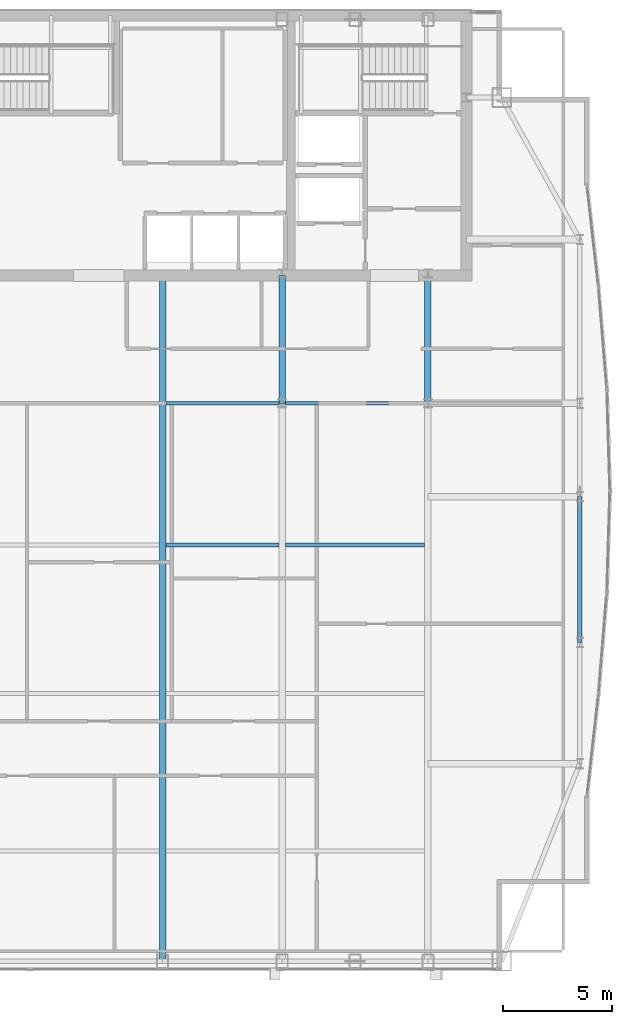
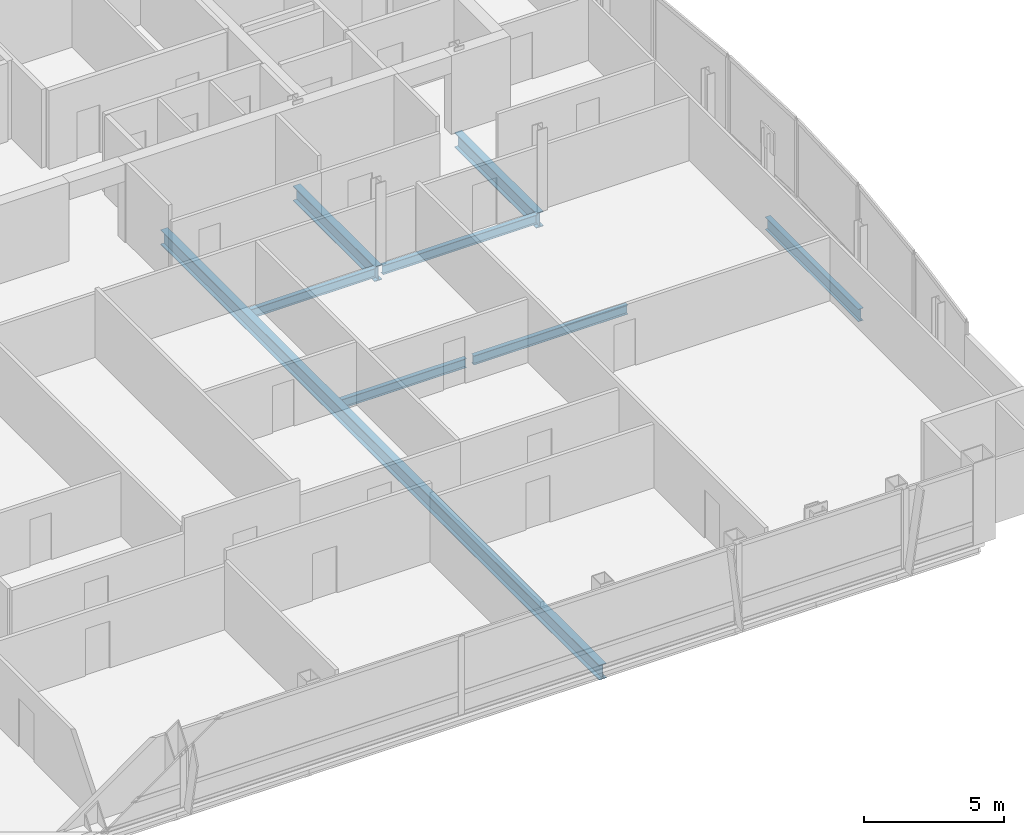
# One storey, part 14 of 25: 8 beams.
"""IFC4 building model written with IfcOpenShell, lengths in metres."""

from ifc_helpers import new_model, si_unit, direction, frame, origin, origin_2d, place, context, subcontext, project, spatial, i_section, extrude, material, material_profile, profile_set, type_object, element, save


model = new_model("IFC4")

# Units and contexts
model_context = context("Model", 3, precision=1e-05, world=origin(), true_north=direction((0.0, 1.0)))
body_context = subcontext(model_context, "Body", "Model", "MODEL_VIEW")
ifc_project = project(units=[si_unit("LENGTHUNIT", "METRE"), si_unit("AREAUNIT", "SQUARE_METRE"), si_unit("VOLUMEUNIT", "CUBIC_METRE"), si_unit("PLANEANGLEUNIT", "RADIAN"), si_unit("MASSUNIT", "GRAM", prefix="KILO")], contexts=[model_context])

# Site, building, storey
site_placement = place(None, origin())
site = spatial("IfcSite", under=ifc_project, at=site_placement, CompositionType="ELEMENT")
building_placement = place(site_placement, origin())
building = spatial("IfcBuilding", under=site, at=building_placement, Name="Khoronbel Lancet Exchange", CompositionType="ELEMENT")
storey_placement = place(building_placement, frame((0.0, 0.0, 298.60009765625)))
storey = spatial("IfcBuildingStorey", under=building, at=storey_placement, Name="L77", CompositionType="ELEMENT", Elevation=298.60009765625)

# Beams
ifc_material = material(Name="Steel S355", Category="steel")
ifc_material_profile_1 = material_profile(ifc_material, i_section(OverallWidth=0.300048828125, OverallDepth=0.64990234375, WebThickness=0.01611328125, FlangeThickness=0.031005859375, at=origin_2d()), Name="HEB 650")
ifc_profile_set_1 = profile_set([ifc_material_profile_1], Name="Steel S355")
beam_type_1 = type_object("IfcBeamType", Name="BM-BG4", PredefinedType="BEAM", material=ifc_profile_set_1)
beam_1_placement = place(storey_placement, frame((42.52490234375, 10.14990234375, -0.485107421875), z_axis=(0.0, 1.0, 0.0), x_axis=(-1.0, 0.0, 0.0)))
element("IfcBeam", 1, at=beam_1_placement, inside=storey, type_object=beam_type_1, Name="Level L77 primary floor girder G4", PredefinedType="BEAM", context=body_context, shape_type="SweptSolid", body=[
    extrude(i_section(OverallWidth=0.300048828125, OverallDepth=0.64990234375, WebThickness=0.01611328125, FlangeThickness=0.031005859375, at=origin_2d()), origin(), (0.0, 0.0, 1.0), 31.400146484375),
])
for number, where, z_axis, x_axis, name in (
    (2, (48.0, 35.699951171875, -0.485107421875), (0.0, 1.0, 0.0), (-1.0, 0.0, 0.0), "Level L77 spine tie girder GN5"),
    (3, (54.675048828125, 35.699951171875, -0.485107421875), (0.0, 1.0, 0.0), (-1.0, 0.0, 0.0), "Level L77 spine tie girder GN6"),
):
    element("IfcBeam", number, at=place(storey_placement, frame(where, z_axis=z_axis, x_axis=x_axis)), inside=storey, type_object=beam_type_1, Name=name, PredefinedType="BEAM", context=body_context, shape_type="SweptSolid", body=[
        extrude(i_section(OverallWidth=0.300048828125, OverallDepth=0.64990234375, WebThickness=0.01611328125, FlangeThickness=0.031005859375, at=origin_2d()), origin(), (0.0, 0.0, 1.0), 5.85009765625),
    ])
ifc_material_profile_2 = material_profile(ifc_material, i_section(OverallWidth=0.179931640625, OverallDepth=0.39990234375, WebThickness=0.008544921875, FlangeThickness=0.013427734375, at=origin_2d()), Name="IPE 400")
ifc_profile_set_2 = profile_set([ifc_material_profile_2], Name="Steel S355")
beam_type_2 = type_object("IfcBeamType", Name="BM-BJ5", PredefinedType="JOIST", material=ifc_profile_set_2)
beam_2_placement = place(storey_placement, frame((42.675048828125, 29.199951171875, -0.360107421875), z_axis=(1.0, 0.0, 0.0), x_axis=(0.0, 1.0, 0.0)))
element("IfcBeam", 4, at=beam_2_placement, inside=storey, type_object=beam_type_2, Name="Level L77 secondary composite joist J14", PredefinedType="JOIST", context=body_context, shape_type="SweptSolid", body=[
    extrude(i_section(OverallWidth=0.179931640625, OverallDepth=0.39990234375, WebThickness=0.008544921875, FlangeThickness=0.013427734375, at=origin_2d()), origin(), (0.0, 0.0, 1.0), 5.175048828125),
])
beam_3_placement = place(storey_placement, frame((48.14990234375, 29.199951171875, -0.360107421875), z_axis=(1.0, 0.0, 0.0), x_axis=(0.0, 1.0, 0.0)))
element("IfcBeam", 5, at=beam_3_placement, inside=storey, type_object=beam_type_2, Name="Level L77 secondary composite joist J15", PredefinedType="JOIST", context=body_context, shape_type="SweptSolid", body=[
    extrude(i_section(OverallWidth=0.179931640625, OverallDepth=0.39990234375, WebThickness=0.008544921875, FlangeThickness=0.013427734375, at=origin_2d()), origin(), (0.0, 0.0, 1.0), 6.375),
])
beam_4_placement = place(storey_placement, frame((42.675048828125, 35.699951171875, -0.360107421875), z_axis=(1.0, 0.0, 0.0), x_axis=(0.0, 1.0, 0.0)))
element("IfcBeam", 6, at=beam_4_placement, inside=storey, type_object=beam_type_2, Name="Level L77 secondary composite joist J19", PredefinedType="JOIST", context=body_context, shape_type="SweptSolid", body=[
    extrude(i_section(OverallWidth=0.179931640625, OverallDepth=0.39990234375, WebThickness=0.008544921875, FlangeThickness=0.013427734375, at=origin_2d()), origin(), (0.0, 0.0, 1.0), 5.175048828125),
])
beam_5_placement = place(storey_placement, frame((48.14990234375, 35.699951171875, -0.360107421875), z_axis=(1.0, 0.0, 0.0), x_axis=(0.0, 1.0, 0.0)))
element("IfcBeam", 7, at=beam_5_placement, inside=storey, type_object=beam_type_2, Name="Level L77 secondary composite joist J20", PredefinedType="JOIST", context=body_context, shape_type="SweptSolid", body=[
    extrude(i_section(OverallWidth=0.179931640625, OverallDepth=0.39990234375, WebThickness=0.008544921875, FlangeThickness=0.013427734375, at=origin_2d()), origin(), (0.0, 0.0, 1.0), 6.375),
])
ifc_material_profile_3 = material_profile(ifc_material, i_section(OverallWidth=0.2099609375, OverallDepth=0.550048828125, WebThickness=0.010986328125, FlangeThickness=0.01708984375, at=origin_2d()), Name="IPE 550")
ifc_profile_set_3 = profile_set([ifc_material_profile_3], Name="Steel S355")
beam_type_3 = type_object("IfcBeamType", Name="BM-BSP3", PredefinedType="SPANDREL", material=ifc_profile_set_3)
beam_6_placement = place(storey_placement, frame((61.6298828125, 24.75, -0.43505859375), z_axis=(0.0, 1.0, 0.0), x_axis=(-1.0, 0.0, 0.0)))
element("IfcBeam", 8, at=beam_6_placement, inside=storey, type_object=beam_type_3, Name="Level L77 perimeter spandrel beam SP12", PredefinedType="SPANDREL", context=body_context, shape_type="SweptSolid", body=[
    extrude(i_section(OverallWidth=0.2099609375, OverallDepth=0.550048828125, WebThickness=0.010986328125, FlangeThickness=0.01708984375, at=origin_2d()), origin(), (0.0, 0.0, 1.0), 6.675048828125),
])

save(model, "model.ifc")
